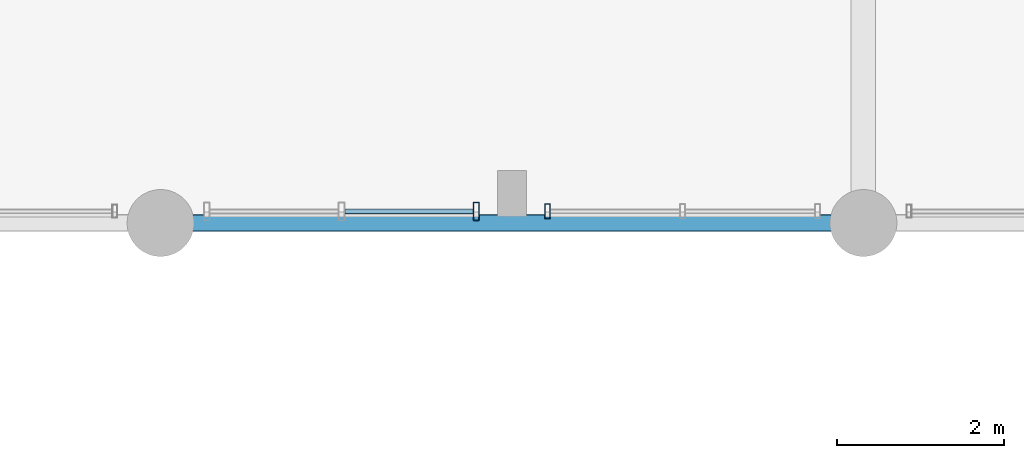
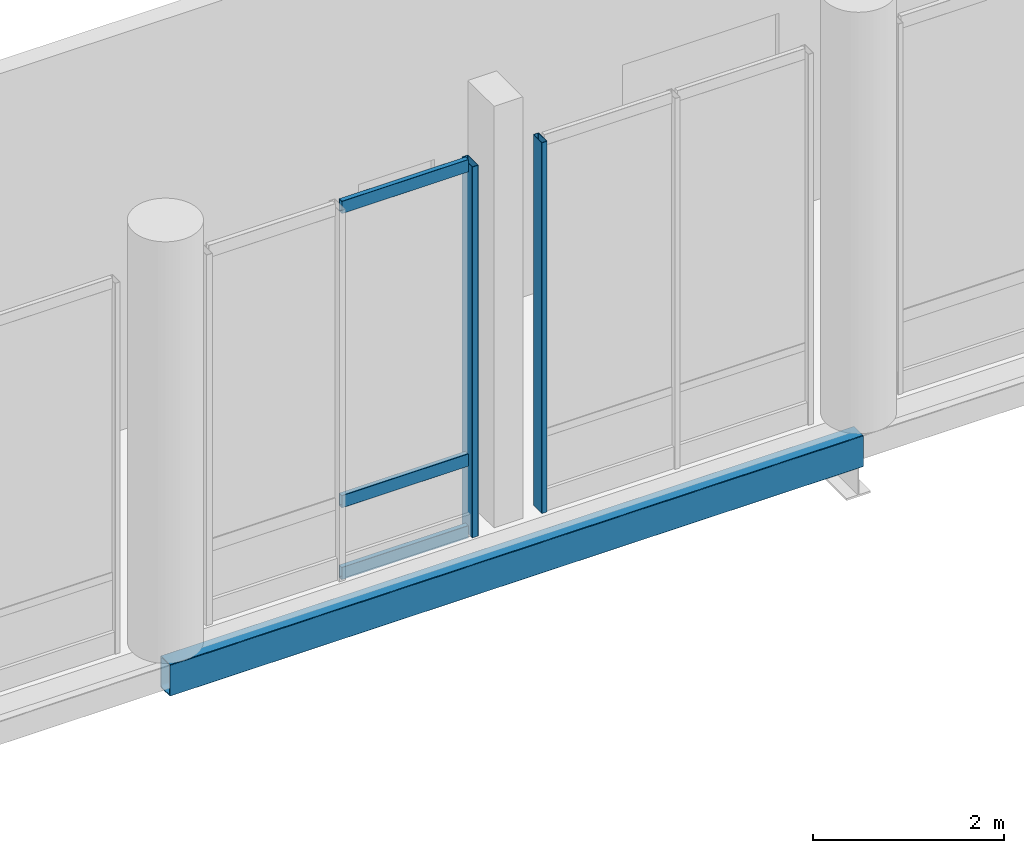
# One storey, part 51 of 128: 5 members, 1 beam, 2 elements without a shape of their own.
"""IFC4 building model written with IfcOpenShell, lengths in metres."""

from ifc_helpers import new_model, si_unit, direction, frame, origin_with_axes, origin_2d_with_axis, place, context, subcontext, project, spatial, hollow_rectangle, extrude, material, material_profile, profile_set, type_object, element, aggregate, save


model = new_model("IFC4")

# Units and contexts
model_context = context("Model", 3, precision=1e-05, world=origin_with_axes(), true_north=direction((0.0, 1.0)))
body_context = subcontext(model_context, "Body", "Model", "MODEL_VIEW")
ifc_project = project(units=[si_unit("LENGTHUNIT", "METRE"), si_unit("AREAUNIT", "SQUARE_METRE"), si_unit("VOLUMEUNIT", "CUBIC_METRE"), si_unit("PLANEANGLEUNIT", "RADIAN"), si_unit("MASSUNIT", "GRAM", prefix="KILO"), si_unit("THERMODYNAMICTEMPERATUREUNIT", "KELVIN")], contexts=[model_context])

# Site, building, storey
site_placement = place(None, origin_with_axes())
site = spatial("IfcSite", under=ifc_project, at=site_placement, CompositionType="ELEMENT")
building_placement = place(site_placement, origin_with_axes())
building = spatial("IfcBuilding", under=site, at=building_placement, Name="Montbau Bow Law Courts", CompositionType="ELEMENT")
storey_placement = place(building_placement, frame((0.0, 0.0, 5.4), z_axis=(0.0, 0.0, 1.0), x_axis=(1.0, 0.0, 0.0)))
storey = spatial("IfcBuildingStorey", under=building, at=storey_placement, Name="L01", CompositionType="ELEMENT", Elevation=5.4)

# Beam
ifc_material_1 = material(Name="Steel CSA G40.21 Grade 350WT (350 MPa)", Category="steel")
ifc_material_profile_1 = material_profile(ifc_material_1, hollow_rectangle(XDim=0.203, YDim=0.406, WallThickness=0.0127, InnerFilletRadius=0.0254, OuterFilletRadius=0.0127, at=origin_2d_with_axis()), Name="HSS406X203X13", Category="Main", Priority=0)
ifc_profile_set_1 = profile_set([ifc_material_profile_1], Name="Steel CSA G40.21 Grade 350WT (350 MPa)")
beam_type = type_object("IfcBeamType", Name="B-SPN-01", PredefinedType="SPANDREL", material=ifc_profile_set_1)
beam_placement = place(None, frame((97.2, 22.2, 4.957), z_axis=(1.0, 0.0, 0.0), x_axis=(0.0, 1.0, 0.0)))
element("IfcBeam", 1, at=beam_placement, inside=storey, type_object=beam_type, Name="SPN-L01-S1067:bm2_1070", PredefinedType="SPANDREL", context=body_context, shape_type="SweptSolid", body=[
    extrude(hollow_rectangle(XDim=0.203, YDim=0.406, WallThickness=0.0127, InnerFilletRadius=0.0254, OuterFilletRadius=0.0127, at=origin_2d_with_axis()), origin_with_axes(), (0.0, 0.0, 1.0), 8.4),
])

# Curtain wall, member
ifc_material_2 = material(Name="Thermally Broken Extruded Aluminium AA 6063-T6", Category="aluminium")
curtain_wall_type = type_object("IfcCurtainWallType", Name="CW-WGC-02", PredefinedType="NOTDEFINED", material=ifc_material_2)
curtain_wall_1_placement = place(None, frame((97.715, 22.34, 5.4), z_axis=(0.0, 0.0, 1.0), x_axis=(1.0, 0.0, 0.0)))
curtain_wall_1 = element("IfcCurtainWall", 2, at=curtain_wall_1_placement, inside=storey, type_object=curtain_wall_type, Name="CW-L01-408:cw_0408", PredefinedType="NOTDEFINED")
ifc_material_profile_2 = material_profile(ifc_material_2, hollow_rectangle(XDim=0.075, YDim=0.22, WallThickness=0.005, InnerFilletRadius=0.01, OuterFilletRadius=0.005, at=origin_2d_with_axis()), Name="CWM-220X75", Category="Main", Priority=0)
ifc_profile_set_2 = profile_set([ifc_material_profile_2], Name="Thermally Broken Extruded Aluminium AA 6063-T6")
member_type_1 = type_object("IfcMemberType", Name="M-MUL-01", PredefinedType="MULLION", material=ifc_profile_set_2)
member_1_placement = place(None, frame((100.973, 22.34, 5.4), z_axis=(0.0, 0.0, 1.0), x_axis=(1.0, 0.0, 0.0)))
member_1 = element("IfcMember", 3, at=member_1_placement, type_object=member_type_1, Name="CW-L01-408-M03:cw_0408_M03", PredefinedType="MULLION", context=body_context, shape_type="SweptSolid", body=[
    extrude(hollow_rectangle(XDim=0.075, YDim=0.22, WallThickness=0.005, InnerFilletRadius=0.01, OuterFilletRadius=0.005, at=origin_2d_with_axis()), origin_with_axes(), (0.0, 0.0, 1.0), 4.75),
])

curtain_wall_2_placement = place(None, frame((101.79, 22.34, 5.4), z_axis=(0.0, 0.0, 1.0), x_axis=(1.0, 0.0, 0.0)))
curtain_wall_2 = element("IfcCurtainWall", 4, at=curtain_wall_2_placement, inside=storey, type_object=curtain_wall_type, Name="CW-L01-409:cw_0409", PredefinedType="NOTDEFINED")
ifc_material_profile_3 = material_profile(ifc_material_2, hollow_rectangle(XDim=0.065, YDim=0.18, WallThickness=0.005, InnerFilletRadius=0.01, OuterFilletRadius=0.005, at=origin_2d_with_axis()), Name="CWM-180X65", Category="Main", Priority=0)
ifc_profile_set_3 = profile_set([ifc_material_profile_3], Name="Thermally Broken Extruded Aluminium AA 6063-T6")
member_type_2 = type_object("IfcMemberType", Name="M-MUL-02", PredefinedType="MULLION", material=ifc_profile_set_3)
member_2_placement = place(None, frame((101.823, 22.34, 5.4), z_axis=(0.0, 0.0, 1.0), x_axis=(1.0, 0.0, 0.0)))
member_2 = element("IfcMember", 5, at=member_2_placement, type_object=member_type_2, Name="CW-L01-409-M01:cw_0409_M01", PredefinedType="MULLION", context=body_context, shape_type="SweptSolid", body=[
    extrude(hollow_rectangle(XDim=0.065, YDim=0.18, WallThickness=0.005, InnerFilletRadius=0.01, OuterFilletRadius=0.005, at=origin_2d_with_axis()), origin_with_axes(), (0.0, 0.0, 1.0), 4.75),
])
aggregate(curtain_wall_2, [member_2])

# Member
ifc_material_profile_4 = material_profile(ifc_material_2, hollow_rectangle(XDim=0.06, YDim=0.16, WallThickness=0.004, InnerFilletRadius=0.008, OuterFilletRadius=0.004, at=origin_2d_with_axis()), Name="CWT-160X60", Category="Main", Priority=0)
ifc_profile_set_4 = profile_set([ifc_material_profile_4], Name="Thermally Broken Extruded Aluminium AA 6063-T6")
member_type_3 = type_object("IfcMemberType", Name="M-TRN-01", PredefinedType="USERDEFINED", material=ifc_profile_set_4)
member_3_placement = place(None, frame((99.403, 22.34, 5.43), z_axis=(1.0, 0.0, 0.0), x_axis=(0.0, 1.0, 0.0)))
member_3 = element("IfcMember", 6, at=member_3_placement, type_object=member_type_3, Name="CW-L01-408-T02-1:cw_0408_T02_1", ObjectType="TRANSOM", PredefinedType="USERDEFINED", context=body_context, shape_type="SweptSolid", body=[
    extrude(hollow_rectangle(XDim=0.06, YDim=0.16, WallThickness=0.004, InnerFilletRadius=0.008, OuterFilletRadius=0.004, at=origin_2d_with_axis()), origin_with_axes(), (0.0, 0.0, 1.0), 1.531),
])

member_4_placement = place(None, frame((99.403, 22.34, 6.35), z_axis=(1.0, 0.0, 0.0), x_axis=(0.0, 1.0, 0.0)))
member_4 = element("IfcMember", 7, at=member_4_placement, type_object=member_type_3, Name="CW-L01-408-T02-2:cw_0408_T02_2", ObjectType="TRANSOM", PredefinedType="USERDEFINED", context=body_context, shape_type="SweptSolid", body=[
    extrude(hollow_rectangle(XDim=0.06, YDim=0.16, WallThickness=0.004, InnerFilletRadius=0.008, OuterFilletRadius=0.004, at=origin_2d_with_axis()), origin_with_axes(), (0.0, 0.0, 1.0), 1.531),
])

member_5_placement = place(None, frame((99.403, 22.34, 10.12), z_axis=(1.0, 0.0, 0.0), x_axis=(0.0, 1.0, 0.0)))
member_5 = element("IfcMember", 8, at=member_5_placement, type_object=member_type_3, Name="CW-L01-408-T02-3:cw_0408_T02_3", ObjectType="TRANSOM", PredefinedType="USERDEFINED", context=body_context, shape_type="SweptSolid", body=[
    extrude(hollow_rectangle(XDim=0.06, YDim=0.16, WallThickness=0.004, InnerFilletRadius=0.008, OuterFilletRadius=0.004, at=origin_2d_with_axis()), origin_with_axes(), (0.0, 0.0, 1.0), 1.531),
])

aggregate(curtain_wall_1, [member_1, member_3, member_4, member_5])

save(model, "model.ifc")
